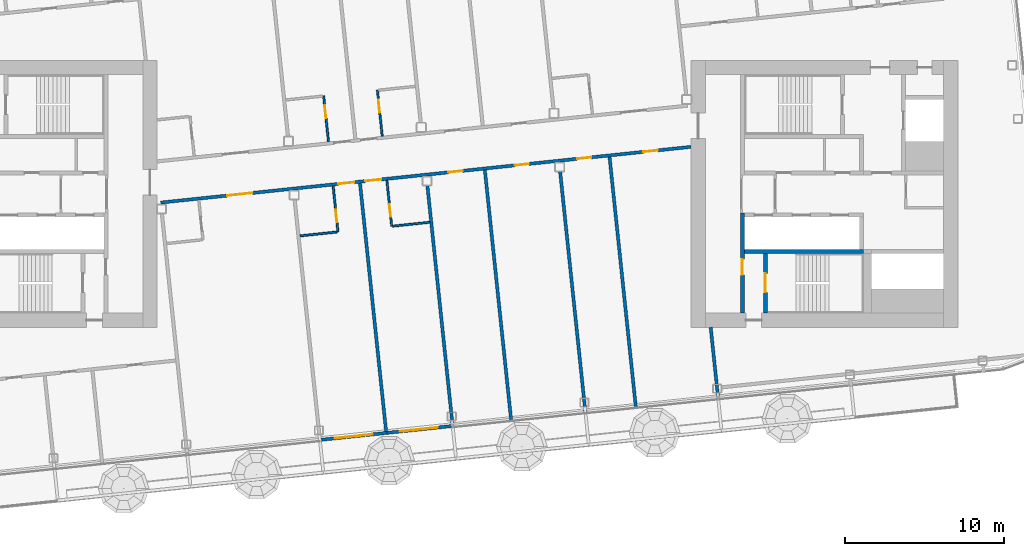
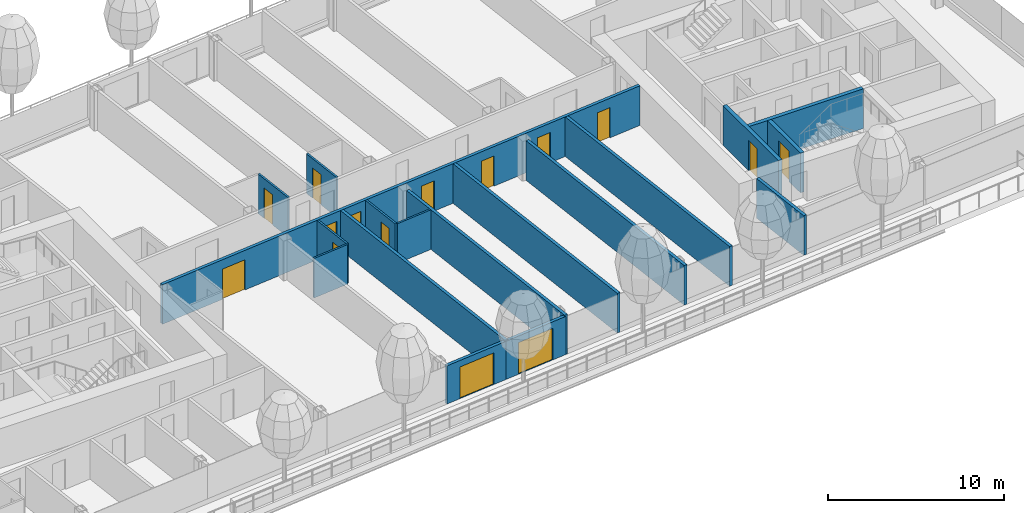
# One storey, part 14 of 30: 18 walls, 15 doors, 15 openings, 1 element without a shape of its own.
"""IFC4 building model written with IfcOpenShell, lengths in metres."""

from ifc_helpers import new_model, si_unit, direction, frame, frame_2d, origin, place, context, subcontext, project, spatial, rectangle, extrude, material, layer, layer_set, type_object, element, fill, aggregate, save


model = new_model("IFC4")

# Units and contexts
model_context = context("Model", 3, precision=1e-05, world=origin(), true_north=direction((0.0, 1.0)))
body_context = subcontext(model_context, "Body", "Model", "MODEL_VIEW")
ifc_project = project(units=[si_unit("LENGTHUNIT", "METRE"), si_unit("AREAUNIT", "SQUARE_METRE"), si_unit("VOLUMEUNIT", "CUBIC_METRE"), si_unit("PLANEANGLEUNIT", "RADIAN"), si_unit("MASSUNIT", "GRAM", prefix="KILO")], contexts=[model_context])

# Site, building, storey
site_placement = place(None, origin())
site = spatial("IfcSite", under=ifc_project, at=site_placement, CompositionType="ELEMENT")
building_placement = place(site_placement, origin())
building = spatial("IfcBuilding", under=site, at=building_placement, Name="Hakoniwa Tower and Hamabe Station Hall", CompositionType="ELEMENT")
storey_placement = place(building_placement, frame((0.0, 0.0, 245.39990234375)))
storey = spatial("IfcBuildingStorey", under=building, at=storey_placement, Name="L69", CompositionType="ELEMENT", Elevation=245.39990234375)

# Walls
ifc_material_1 = material(Name="Gypsum board partition", Category="gypsum")
ifc_layer_1 = layer(ifc_material_1, 0.125)
ifc_layer_set_1 = layer_set([ifc_layer_1], Name="Bathroom Partition 125")
wall_type_1 = type_object("IfcWallType", Name="Bathroom Partition 125", PredefinedType="PARTITIONING", material=ifc_layer_set_1)
for number, where, z_axis, x_axis, name in (
    (1, (-7.80517578125, -2.64404296875, 0.0), (0.0, 0.0, 1.0), (0.994519751088, 0.104548862722, 0.0), "GW-L69-004"),
    (2, (-1.974609375, -2.03125, 0.0), (0.0, 0.0, 1.0), (0.994519751088, 0.104548862722, 0.0), "GW-L69-005"),
):
    element("IfcWall", number, at=place(storey_placement, frame(where, z_axis=z_axis, x_axis=x_axis)), inside=storey, type_object=wall_type_1, Name=name, PredefinedType="PARTITIONING", context=body_context, shape_type="SweptSolid", body=[
        extrude(rectangle(XDim=2.33740234375, YDim=0.125, at=frame_2d((1.168701171875, 0.0))), origin(), (0.0, 0.0, 1.0), 2.75),
    ])

# Wall, opening, door
wall_1_placement = place(storey_placement, frame((-5.418212890625, -2.39306640625, 0.0), z_axis=(0.0, 0.0, 1.0), x_axis=(-0.104562076147, 0.994518361938, 0.0)))
wall_1 = element("IfcWall", 3, at=wall_1_placement, inside=storey, type_object=wall_type_1, Name="GW-L69-039", PredefinedType="PARTITIONING", context=body_context, shape_type="SweptSolid", body=[
    extrude(rectangle(XDim=2.89990234375, YDim=0.125, at=frame_2d((1.449951171875, 0.0))), origin(), (0.0, 0.0, 1.0), 2.75),
])
opening_1_placement = place(wall_1_placement, frame((0.60009765625, 0.0, 0.0)))
opening_1 = element("IfcOpeningElement", 4, at=opening_1_placement, cuts=wall_1, Name="Opening GD-G5C0-35", PredefinedType="OPENING", context=body_context, shape_type="SweptSolid", body=[
    extrude(rectangle(XDim=0.800048828125, YDim=2.10009765625, at=frame_2d((0.39990234375, 1.050048828125))), frame((0.0, 0.072509765625, 0.0), z_axis=(0.0, -1.0, 0.0), x_axis=(1.0, 0.0, 0.0)), (0.0, 0.0, 1.0), 0.14501953125),
])
ifc_material_2 = material(Name="Timber door leaf", Category="wood")
door_type_1 = type_object("IfcDoorType", Name="Bathroom Door 800", OperationType="SINGLE_SWING_LEFT", PredefinedType="DOOR", material=ifc_material_2)
door_1_placement = place(opening_1_placement, origin())
door_1 = element("IfcDoor", 5, at=door_1_placement, inside=storey, type_object=door_type_1, Name="Door GD-G5C0-35", OperationType="SINGLE_SWING_RIGHT", OverallHeight=2.10009765625, OverallWidth=0.800048828125, PredefinedType="DOOR", context=body_context, shape_type="SweptSolid", body=[
    extrude(rectangle(XDim=0.800048828125, YDim=2.10009765625, at=frame_2d((0.39990234375, 1.050048828125))), frame((0.0, 0.02490234375, 0.0), z_axis=(0.0, -1.0, 0.0), x_axis=(1.0, 0.0, 0.0)), (0.0, 0.0, 1.0), 0.050048828125),
])
fill(opening_1, door_1)

wall_2_placement = place(storey_placement, frame((-6.013916015625, 3.275634765625, 0.0), z_axis=(0.0, 0.0, 1.0), x_axis=(-0.104562076147, 0.994518361938, 0.0)))
wall_2 = element("IfcWall", 6, at=wall_2_placement, inside=storey, type_object=wall_type_1, Name="GW-L69-040", PredefinedType="PARTITIONING", context=body_context, shape_type="SweptSolid", body=[
    extrude(rectangle(XDim=2.89990234375, YDim=0.125, at=frame_2d((1.449951171875, 0.0))), origin(), (0.0, 0.0, 1.0), 2.75),
])
opening_2_placement = place(wall_2_placement, frame((1.5, 0.0, 0.0)))
opening_2 = element("IfcOpeningElement", 7, at=opening_2_placement, cuts=wall_2, Name="Opening GD-G5C0-36", PredefinedType="OPENING", context=body_context, shape_type="SweptSolid", body=[
    extrude(rectangle(XDim=0.800048828125, YDim=2.10009765625, at=frame_2d((0.39990234375, 1.050048828125))), frame((0.0, 0.072509765625, 0.0), z_axis=(0.0, -1.0, 0.0), x_axis=(1.0, 0.0, 0.0)), (0.0, 0.0, 1.0), 0.14501953125),
])
door_2_placement = place(opening_2_placement, origin())
door_2 = element("IfcDoor", 8, at=door_2_placement, inside=storey, type_object=door_type_1, Name="Door GD-G5C0-36", OperationType="SINGLE_SWING_LEFT", OverallHeight=2.10009765625, OverallWidth=0.800048828125, PredefinedType="DOOR", context=body_context, shape_type="SweptSolid", body=[
    extrude(rectangle(XDim=0.800048828125, YDim=2.10009765625, at=frame_2d((0.39990234375, 1.050048828125))), frame((0.0, 0.02490234375, 0.0), z_axis=(0.0, -1.0, 0.0), x_axis=(1.0, 0.0, 0.0)), (0.0, 0.0, 1.0), 0.050048828125),
])
fill(opening_2, door_2)

wall_3_placement = place(storey_placement, frame((-2.036865234375, -2.037841796875, 0.0), z_axis=(0.0, 0.0, 1.0), x_axis=(-0.104470059912, 0.994528032074, 0.0)))
wall_3 = element("IfcWall", 9, at=wall_3_placement, inside=storey, type_object=wall_type_1, Name="GW-L69-043", PredefinedType="PARTITIONING", context=body_context, shape_type="SweptSolid", body=[
    extrude(rectangle(XDim=2.900146484375, YDim=0.125, at=frame_2d((1.4501953125, 0.0))), origin(), (0.0, 0.0, 1.0), 2.75),
])
opening_3_placement = place(wall_3_placement, frame((0.60009765625, 0.0, 0.0)))
opening_3 = element("IfcOpeningElement", 10, at=opening_3_placement, cuts=wall_3, Name="Opening GD-G5C0-37", PredefinedType="OPENING", context=body_context, shape_type="SweptSolid", body=[
    extrude(rectangle(XDim=0.800048828125, YDim=2.10009765625, at=frame_2d((0.39990234375, 1.050048828125))), frame((0.0, 0.072509765625, 0.0), z_axis=(0.0, -1.0, 0.0), x_axis=(1.0, 0.0, 0.0)), (0.0, 0.0, 1.0), 0.14501953125),
])
door_3_placement = place(opening_3_placement, origin())
door_3 = element("IfcDoor", 11, at=door_3_placement, inside=storey, type_object=door_type_1, Name="Door GD-G5C0-37", OperationType="SINGLE_SWING_LEFT", OverallHeight=2.10009765625, OverallWidth=0.800048828125, PredefinedType="DOOR", context=body_context, shape_type="SweptSolid", body=[
    extrude(rectangle(XDim=0.800048828125, YDim=2.10009765625, at=frame_2d((0.39990234375, 1.050048828125))), frame((0.0, 0.02490234375, 0.0), z_axis=(0.0, -1.0, 0.0), x_axis=(1.0, 0.0, 0.0)), (0.0, 0.0, 1.0), 0.050048828125),
])
fill(opening_3, door_3)

wall_4_placement = place(storey_placement, frame((-2.632568359375, 3.631103515625, 0.0), z_axis=(0.0, 0.0, 1.0), x_axis=(-0.104562076147, 0.994518361938, 0.0)))
wall_4 = element("IfcWall", 12, at=wall_4_placement, inside=storey, type_object=wall_type_1, Name="GW-L69-044", PredefinedType="PARTITIONING", context=body_context, shape_type="SweptSolid", body=[
    extrude(rectangle(XDim=2.89990234375, YDim=0.125, at=frame_2d((1.449951171875, 0.0))), origin(), (0.0, 0.0, 1.0), 2.75),
])
opening_4_placement = place(wall_4_placement, frame((1.5, 0.0, 0.0)))
opening_4 = element("IfcOpeningElement", 13, at=opening_4_placement, cuts=wall_4, Name="Opening GD-G5C0-38", PredefinedType="OPENING", context=body_context, shape_type="SweptSolid", body=[
    extrude(rectangle(XDim=0.800048828125, YDim=2.10009765625, at=frame_2d((0.39990234375, 1.050048828125))), frame((0.0, 0.072509765625, 0.0), z_axis=(0.0, -1.0, 0.0), x_axis=(1.0, 0.0, 0.0)), (0.0, 0.0, 1.0), 0.14501953125),
])
door_4_placement = place(opening_4_placement, origin())
door_4 = element("IfcDoor", 14, at=door_4_placement, inside=storey, type_object=door_type_1, Name="Door GD-G5C0-38", OperationType="SINGLE_SWING_RIGHT", OverallHeight=2.10009765625, OverallWidth=0.800048828125, PredefinedType="DOOR", context=body_context, shape_type="SweptSolid", body=[
    extrude(rectangle(XDim=0.800048828125, YDim=2.10009765625, at=frame_2d((0.39990234375, 1.050048828125))), frame((0.0, 0.02490234375, 0.0), z_axis=(0.0, -1.0, 0.0), x_axis=(1.0, 0.0, 0.0)), (0.0, 0.0, 1.0), 0.050048828125),
])
fill(opening_4, door_4)

ifc_material_3 = material(Name="Concrete C60", Category="concrete")
ifc_layer_2 = layer(ifc_material_3, 0.25)
ifc_layer_set_2 = layer_set([ifc_layer_2], Name="CORE WEB WALL 250 C60")
wall_type_2 = type_object("IfcWallType", Name="CORE WEB WALL 250 C60", PredefinedType="SHEAR", material=ifc_layer_set_2)
wall_5_placement = place(storey_placement, frame((20.02490234375, -7.5, 0.0), z_axis=(0.0, 0.0, 1.0), x_axis=(0.0, 1.0, 0.0)))
wall_5 = element("IfcWall", 15, at=wall_5_placement, inside=storey, type_object=wall_type_2, Name="Core wall W1S east", PredefinedType="SHEAR", context=body_context, shape_type="SweptSolid", body=[
    extrude(rectangle(XDim=6.300048828125, YDim=0.25, at=frame_2d((3.14990234375, 0.0))), origin(), (0.0, 0.0, 1.0), 2.75),
])
opening_5_placement = place(wall_5_placement, frame((2.39990234375, 0.0, 0.0)))
opening_5 = element("IfcOpeningElement", 16, at=opening_5_placement, cuts=wall_5, Name="Opening CD-E-VS-10", PredefinedType="OPENING", context=body_context, shape_type="SweptSolid", body=[
    extrude(rectangle(XDim=1.0, YDim=2.10009765625, at=frame_2d((0.5, 1.050048828125))), frame((0.0, 0.135009765625, 0.0), z_axis=(0.0, -1.0, 0.0), x_axis=(1.0, 0.0, 0.0)), (0.0, 0.0, 1.0), 0.27001953125),
])
ifc_material_4 = material(Name="Steel fire door", Category="steel")
door_type_2 = type_object("IfcDoorType", Name="CORE DOOR 1000 FD60", OperationType="NOTDEFINED", PredefinedType="DOOR", material=ifc_material_4)
door_5_placement = place(opening_5_placement, origin())
door_5 = element("IfcDoor", 17, at=door_5_placement, inside=storey, type_object=door_type_2, Name="Stair vestibule door", OperationType="SINGLE_SWING_RIGHT", OverallHeight=2.10009765625, OverallWidth=1.0, PredefinedType="DOOR", context=body_context, shape_type="SweptSolid", body=[
    extrude(rectangle(XDim=1.0, YDim=2.10009765625, at=frame_2d((0.5, 1.050048828125))), frame((0.0, 0.02490234375, 0.0), z_axis=(0.0, -1.0, 0.0), x_axis=(1.0, 0.0, 0.0)), (0.0, 0.0, 1.0), 0.050048828125),
])
fill(opening_5, door_5)

# Wall
wall_6_placement = place(storey_placement, frame((20.14990234375, -3.625, 0.0), z_axis=(0.0, 0.0, 1.0), x_axis=(1.0, 0.0, 0.0)))
element("IfcWall", 18, at=wall_6_placement, inside=storey, type_object=wall_type_2, Name="Core wall SR east", PredefinedType="SHEAR", context=body_context, shape_type="SweptSolid", body=[
    extrude(rectangle(XDim=7.5, YDim=0.25, at=frame_2d((3.75, 0.0))), origin(), (0.0, 0.0, 1.0), 2.75),
])

# Wall, opening, door
wall_7_placement = place(storey_placement, frame((21.47509765625, -7.5, 0.0), z_axis=(0.0, 0.0, 1.0), x_axis=(0.0, 1.0, 0.0)))
wall_7 = element("IfcWall", 19, at=wall_7_placement, inside=storey, type_object=wall_type_2, Name="Core wall VE east", PredefinedType="SHEAR", context=body_context, shape_type="SweptSolid", body=[
    extrude(rectangle(XDim=3.75, YDim=0.25, at=frame_2d((1.875, 0.0))), origin(), (0.0, 0.0, 1.0), 2.75),
])
opening_6_placement = place(wall_7_placement, frame((1.300048828125, 0.0, 0.0)))
opening_6 = element("IfcOpeningElement", 20, at=opening_6_placement, cuts=wall_7, Name="Opening CD-E-SS-12", PredefinedType="OPENING", context=body_context, shape_type="SweptSolid", body=[
    extrude(rectangle(XDim=1.199951171875, YDim=2.10009765625, at=frame_2d((0.60009765625, 1.050048828125))), frame((0.0, 0.135009765625, 0.0), z_axis=(0.0, -1.0, 0.0), x_axis=(1.0, 0.0, 0.0)), (0.0, 0.0, 1.0), 0.27001953125),
])
ifc_material_5 = material(Name="Steel fire door", Category="steel")
door_type_3 = type_object("IfcDoorType", Name="CORE DOOR 1200 FD60", OperationType="DOUBLE_DOOR_SINGLE_SWING", PredefinedType="DOOR", material=ifc_material_5)
door_6_placement = place(opening_6_placement, origin())
door_6 = element("IfcDoor", 21, at=door_6_placement, inside=storey, type_object=door_type_3, Name="Escape stair door", OperationType="DOUBLE_DOOR_SINGLE_SWING", OverallHeight=2.10009765625, OverallWidth=1.199951171875, PredefinedType="DOOR", context=body_context, shape_type="SweptSolid", body=[
    extrude(rectangle(XDim=1.199951171875, YDim=2.10009765625, at=frame_2d((0.60009765625, 1.050048828125))), frame((0.0, 0.02490234375, 0.0), z_axis=(0.0, -1.0, 0.0), x_axis=(1.0, 0.0, 0.0)), (0.0, 0.0, 1.0), 0.050048828125),
])
fill(opening_6, door_6)

# Wall, openings, doors
ifc_material_6 = material(Name="Fire-rated gypsum board partition", Category="gypsum")
ifc_layer_3 = layer(ifc_material_6, 0.199951171875)
ifc_layer_set_3 = layer_set([ifc_layer_3], Name="Corridor Wall 200")
wall_type_3 = type_object("IfcWallType", Name="Corridor Wall 200", PredefinedType="PARTITIONING", material=ifc_layer_set_3)
wall_8_placement = place(storey_placement, frame((-16.572021484375, -0.549072265625, 0.0), z_axis=(0.0, 0.0, 1.0), x_axis=(0.994521146831, 0.104535584879, 0.0)))
wall_8 = element("IfcWall", 22, at=wall_8_placement, inside=storey, type_object=wall_type_3, Name="GW-L69-007", PredefinedType="PARTITIONING", context=body_context, shape_type="SweptSolid", body=[
    extrude(rectangle(XDim=33.560791015625, YDim=0.199951171875, at=frame_2d((16.7802734375, 0.0))), origin(), (0.0, 0.0, 1.0), 2.75),
])
opening_7_placement = place(wall_8_placement, frame((4.199951171875, 0.0, 0.0)))
opening_7 = element("IfcOpeningElement", 23, at=opening_7_placement, cuts=wall_8, Name="Opening GD-G5C0-06", PredefinedType="OPENING", context=body_context, shape_type="SweptSolid", body=[
    extrude(rectangle(XDim=1.60009765625, YDim=2.10009765625, at=frame_2d((0.800048828125, 1.050048828125))), frame((0.0, 0.10986328125, 0.0), z_axis=(0.0, -1.0, 0.0), x_axis=(1.0, 0.0, 0.0)), (0.0, 0.0, 1.0), 0.219970703125),
])
opening_8_placement = place(wall_8_placement, frame((11.25, 0.0, 0.0)))
opening_8 = element("IfcOpeningElement", 24, at=opening_8_placement, cuts=wall_8, Name="Opening GD-G5C0-07", PredefinedType="OPENING", context=body_context, shape_type="SweptSolid", body=[
    extrude(rectangle(XDim=1.0, YDim=2.10009765625, at=frame_2d((0.5, 1.050048828125))), frame((0.0, 0.10986328125, 0.0), z_axis=(0.0, -1.0, 0.0), x_axis=(1.0, 0.0, 0.0)), (0.0, 0.0, 1.0), 0.219970703125),
])
opening_9_placement = place(wall_8_placement, frame((12.949951171875, 0.0, 0.0)))
opening_9 = element("IfcOpeningElement", 25, at=opening_9_placement, cuts=wall_8, Name="Opening GD-G5C0-08", PredefinedType="OPENING", context=body_context, shape_type="SweptSolid", body=[
    extrude(rectangle(XDim=1.0, YDim=2.10009765625, at=frame_2d((0.5, 1.050048828125))), frame((0.0, 0.10986328125, 0.0), z_axis=(0.0, -1.0, 0.0), x_axis=(1.0, 0.0, 0.0)), (0.0, 0.0, 1.0), 0.219970703125),
])
opening_10_placement = place(wall_8_placement, frame((18.199951171875, 0.0, 0.0)))
opening_10 = element("IfcOpeningElement", 26, at=opening_10_placement, cuts=wall_8, Name="Opening GD-G5C0-09", PredefinedType="OPENING", context=body_context, shape_type="SweptSolid", body=[
    extrude(rectangle(XDim=0.89990234375, YDim=2.10009765625, at=frame_2d((0.449951171875, 1.050048828125))), frame((0.0, 0.10986328125, 0.0), z_axis=(0.0, -1.0, 0.0), x_axis=(1.0, 0.0, 0.0)), (0.0, 0.0, 1.0), 0.219970703125),
])
opening_11_placement = place(wall_8_placement, frame((22.39990234375, 0.0, 0.0)))
opening_11 = element("IfcOpeningElement", 27, at=opening_11_placement, cuts=wall_8, Name="Opening GD-G5C0-10", PredefinedType="OPENING", context=body_context, shape_type="SweptSolid", body=[
    extrude(rectangle(XDim=0.89990234375, YDim=2.10009765625, at=frame_2d((0.449951171875, 1.050048828125))), frame((0.0, 0.10986328125, 0.0), z_axis=(0.0, -1.0, 0.0), x_axis=(1.0, 0.0, 0.0)), (0.0, 0.0, 1.0), 0.219970703125),
])
opening_12_placement = place(wall_8_placement, frame((26.344970703125, 0.0, 0.0)))
opening_12 = element("IfcOpeningElement", 28, at=opening_12_placement, cuts=wall_8, Name="Opening GD-G5C0-11", PredefinedType="OPENING", context=body_context, shape_type="SweptSolid", body=[
    extrude(rectangle(XDim=0.89990234375, YDim=2.10009765625, at=frame_2d((0.449951171875, 1.050048828125))), frame((0.0, 0.10986328125, 0.0), z_axis=(0.0, -1.0, 0.0), x_axis=(1.0, 0.0, 0.0)), (0.0, 0.0, 1.0), 0.219970703125),
])
opening_13_placement = place(wall_8_placement, frame((30.544921875, 0.0, 0.0)))
opening_13 = element("IfcOpeningElement", 29, at=opening_13_placement, cuts=wall_8, Name="Opening GD-G5C0-12", PredefinedType="OPENING", context=body_context, shape_type="SweptSolid", body=[
    extrude(rectangle(XDim=0.89990234375, YDim=2.10009765625, at=frame_2d((0.449951171875, 1.050048828125))), frame((0.0, 0.10986328125, 0.0), z_axis=(0.0, -1.0, 0.0), x_axis=(1.0, 0.0, 0.0)), (0.0, 0.0, 1.0), 0.219970703125),
])
ifc_material_7 = material(Name="Timber door leaf", Category="wood")
door_type_4 = type_object("IfcDoorType", Name="Double Door 1600", OperationType="DOUBLE_DOOR_SINGLE_SWING", PredefinedType="DOOR", material=ifc_material_7)
door_7_placement = place(opening_7_placement, origin())
door_7 = element("IfcDoor", 30, at=door_7_placement, inside=storey, type_object=door_type_4, Name="Door GD-G5C0-06", OperationType="DOUBLE_DOOR_SINGLE_SWING", OverallHeight=2.10009765625, OverallWidth=1.60009765625, PredefinedType="DOOR", context=body_context, shape_type="SweptSolid", body=[
    extrude(rectangle(XDim=1.60009765625, YDim=2.10009765625, at=frame_2d((0.800048828125, 1.050048828125))), frame((0.0, 0.02490234375, 0.0), z_axis=(0.0, -1.0, 0.0), x_axis=(1.0, 0.0, 0.0)), (0.0, 0.0, 1.0), 0.050048828125),
])
fill(opening_7, door_7)
ifc_material_8 = material(Name="Timber door leaf", Category="wood")
door_type_5 = type_object("IfcDoorType", Name="Guest Entrance Door 1000", OperationType="SINGLE_SWING_LEFT", PredefinedType="DOOR", material=ifc_material_8)
door_8_placement = place(opening_8_placement, origin())
door_8 = element("IfcDoor", 31, at=door_8_placement, inside=storey, type_object=door_type_5, Name="Door GD-G5C0-07", OperationType="SINGLE_SWING_RIGHT", OverallHeight=2.10009765625, OverallWidth=1.0, PredefinedType="DOOR", context=body_context, shape_type="SweptSolid", body=[
    extrude(rectangle(XDim=1.0, YDim=2.10009765625, at=frame_2d((0.5, 1.050048828125))), frame((0.0, 0.02490234375, 0.0), z_axis=(0.0, -1.0, 0.0), x_axis=(1.0, 0.0, 0.0)), (0.0, 0.0, 1.0), 0.050048828125),
])
fill(opening_8, door_8)
door_9_placement = place(opening_9_placement, origin())
door_9 = element("IfcDoor", 32, at=door_9_placement, inside=storey, type_object=door_type_5, Name="Door GD-G5C0-08", OperationType="SINGLE_SWING_LEFT", OverallHeight=2.10009765625, OverallWidth=1.0, PredefinedType="DOOR", context=body_context, shape_type="SweptSolid", body=[
    extrude(rectangle(XDim=1.0, YDim=2.10009765625, at=frame_2d((0.5, 1.050048828125))), frame((0.0, 0.02490234375, 0.0), z_axis=(0.0, -1.0, 0.0), x_axis=(1.0, 0.0, 0.0)), (0.0, 0.0, 1.0), 0.050048828125),
])
fill(opening_9, door_9)
ifc_material_9 = material(Name="Timber door leaf", Category="wood")
door_type_6 = type_object("IfcDoorType", Name="Service Door 900", OperationType="SINGLE_SWING_LEFT", PredefinedType="DOOR", material=ifc_material_9)
door_10_placement = place(opening_10_placement, origin())
door_10 = element("IfcDoor", 33, at=door_10_placement, inside=storey, type_object=door_type_6, Name="Door GD-G5C0-09", OperationType="SINGLE_SWING_RIGHT", OverallHeight=2.10009765625, OverallWidth=0.89990234375, PredefinedType="DOOR", context=body_context, shape_type="SweptSolid", body=[
    extrude(rectangle(XDim=0.89990234375, YDim=2.10009765625, at=frame_2d((0.449951171875, 1.050048828125))), frame((0.0, 0.02490234375, 0.0), z_axis=(0.0, -1.0, 0.0), x_axis=(1.0, 0.0, 0.0)), (0.0, 0.0, 1.0), 0.050048828125),
])
fill(opening_10, door_10)
door_11_placement = place(opening_11_placement, origin())
door_11 = element("IfcDoor", 34, at=door_11_placement, inside=storey, type_object=door_type_6, Name="Door GD-G5C0-10", OperationType="SINGLE_SWING_RIGHT", OverallHeight=2.10009765625, OverallWidth=0.89990234375, PredefinedType="DOOR", context=body_context, shape_type="SweptSolid", body=[
    extrude(rectangle(XDim=0.89990234375, YDim=2.10009765625, at=frame_2d((0.449951171875, 1.050048828125))), frame((0.0, 0.02490234375, 0.0), z_axis=(0.0, -1.0, 0.0), x_axis=(1.0, 0.0, 0.0)), (0.0, 0.0, 1.0), 0.050048828125),
])
fill(opening_11, door_11)
door_12_placement = place(opening_12_placement, origin())
door_12 = element("IfcDoor", 35, at=door_12_placement, inside=storey, type_object=door_type_6, Name="Door GD-G5C0-11", OperationType="SINGLE_SWING_RIGHT", OverallHeight=2.10009765625, OverallWidth=0.89990234375, PredefinedType="DOOR", context=body_context, shape_type="SweptSolid", body=[
    extrude(rectangle(XDim=0.89990234375, YDim=2.10009765625, at=frame_2d((0.449951171875, 1.050048828125))), frame((0.0, 0.02490234375, 0.0), z_axis=(0.0, -1.0, 0.0), x_axis=(1.0, 0.0, 0.0)), (0.0, 0.0, 1.0), 0.050048828125),
])
fill(opening_12, door_12)
door_13_placement = place(opening_13_placement, origin())
door_13 = element("IfcDoor", 36, at=door_13_placement, inside=storey, type_object=door_type_6, Name="Door GD-G5C0-12", OperationType="SINGLE_SWING_RIGHT", OverallHeight=2.10009765625, OverallWidth=0.89990234375, PredefinedType="DOOR", context=body_context, shape_type="SweptSolid", body=[
    extrude(rectangle(XDim=0.89990234375, YDim=2.10009765625, at=frame_2d((0.449951171875, 1.050048828125))), frame((0.0, 0.02490234375, 0.0), z_axis=(0.0, -1.0, 0.0), x_axis=(1.0, 0.0, 0.0)), (0.0, 0.0, 1.0), 0.050048828125),
])
fill(opening_13, door_13)

# Curtain wall, walls, openings, doors
ifc_material_10 = material(Name="Dark low-e laminated glass", Category="glass")
ifc_layer_4 = layer(ifc_material_10, 0.199951171875)
ifc_layer_set_4 = layer_set([ifc_layer_4], Name="CW-1 UNITISED GUEST")
curtain_wall_type = type_object("IfcCurtainWallType", Name="CW-1 UNITISED GUEST", PredefinedType="NOTDEFINED", material=ifc_layer_set_4)
curtain_wall_placement = place(storey_placement, origin())
curtain_wall = element("IfcCurtainWall", 37, at=curtain_wall_placement, inside=storey, type_object=curtain_wall_type, Name="CW-1 curtain wall", PredefinedType="NOTDEFINED")
ifc_material_11 = material(Name="Dark glass-faced aluminium panel", Category="aluminium")
ifc_layer_5 = layer(ifc_material_11, 0.199951171875)
ifc_layer_set_5 = layer_set([ifc_layer_5], Name="DOOR BAY WALL")
wall_type_4 = type_object("IfcWallType", Name="DOOR BAY WALL", PredefinedType="NOTDEFINED", material=ifc_layer_set_5)
wall_9_placement = place(storey_placement, frame((-6.5361328125, -15.481689453125, 0.0), z_axis=(0.0, 0.0, 1.0), x_axis=(0.994520342386, 0.104543237853, 0.0)))
wall_9 = element("IfcWall", 38, at=wall_9_placement, type_object=wall_type_4, Name="Door bay wall", PredefinedType="NOTDEFINED", context=body_context, shape_type="SweptSolid", body=[
    extrude(rectangle(XDim=4.219970703125, YDim=0.199951171875, at=frame_2d((2.10986328125, 0.0))), origin(), (0.0, 0.0, 1.0), 2.650146484375),
])
opening_14_placement = place(wall_9_placement, frame((0.909912109375, 0.0, 0.0)))
opening_14 = element("IfcOpeningElement", 39, at=opening_14_placement, cuts=wall_9, Name="Opening BD-S07-3", PredefinedType="OPENING", context=body_context, shape_type="SweptSolid", body=[
    extrude(rectangle(XDim=2.39990234375, YDim=2.199951171875, at=frame_2d((1.199951171875, 1.10009765625))), frame((0.0, 0.10986328125, 0.0), z_axis=(0.0, -1.0, 0.0), x_axis=(1.0, 0.0, 0.0)), (0.0, 0.0, 1.0), 0.219970703125),
])
ifc_material_12 = material(Name="Dark low-e laminated glass", Category="glass")
door_type_7 = type_object("IfcDoorType", Name="BALCONY SLIDING DOOR 2400X2200", OperationType="SLIDING_TO_LEFT", PredefinedType="DOOR", material=ifc_material_12)
door_14_placement = place(opening_14_placement, frame((2.39990234375, 0.0, 0.0), z_axis=(0.0, 0.0, 1.0), x_axis=(-1.0, 0.0, 0.0)))
door_14 = element("IfcDoor", 40, at=door_14_placement, inside=storey, type_object=door_type_7, Name="Balcony sliding door", OperationType="SLIDING_TO_LEFT", OverallHeight=2.199951171875, OverallWidth=2.39990234375, PredefinedType="DOOR", context=body_context, shape_type="SweptSolid", body=[
    extrude(rectangle(XDim=2.39990234375, YDim=2.199951171875, at=frame_2d((1.199951171875, 1.10009765625))), frame((0.0, 0.02490234375, 0.0), z_axis=(0.0, -1.0, 0.0), x_axis=(1.0, 0.0, 0.0)), (0.0, 0.0, 1.0), 0.050048828125),
])
fill(opening_14, door_14)
wall_10_placement = place(storey_placement, frame((-2.4189453125, -15.049072265625, 0.0), z_axis=(0.0, 0.0, 1.0), x_axis=(0.994520974641, 0.104537223034, 0.0)))
wall_10 = element("IfcWall", 41, at=wall_10_placement, type_object=wall_type_4, Name="Door bay wall", PredefinedType="NOTDEFINED", context=body_context, shape_type="SweptSolid", body=[
    extrude(rectangle(XDim=4.22021484375, YDim=0.199951171875, at=frame_2d((2.110107421875, 0.0))), origin(), (0.0, 0.0, 1.0), 2.650146484375),
])
opening_15_placement = place(wall_10_placement, frame((0.909912109375, 0.0, 0.0)))
opening_15 = element("IfcOpeningElement", 42, at=opening_15_placement, cuts=wall_10, Name="Opening BD-S07-4", PredefinedType="OPENING", context=body_context, shape_type="SweptSolid", body=[
    extrude(rectangle(XDim=2.39990234375, YDim=2.199951171875, at=frame_2d((1.199951171875, 1.10009765625))), frame((0.0, 0.10986328125, 0.0), z_axis=(0.0, -1.0, 0.0), x_axis=(1.0, 0.0, 0.0)), (0.0, 0.0, 1.0), 0.219970703125),
])
door_15_placement = place(opening_15_placement, frame((2.39990234375, 0.0, 0.0), z_axis=(0.0, 0.0, 1.0), x_axis=(-1.0, 0.0, 0.0)))
door_15 = element("IfcDoor", 43, at=door_15_placement, inside=storey, type_object=door_type_7, Name="Balcony sliding door", OperationType="SLIDING_TO_LEFT", OverallHeight=2.199951171875, OverallWidth=2.39990234375, PredefinedType="DOOR", context=body_context, shape_type="SweptSolid", body=[
    extrude(rectangle(XDim=2.39990234375, YDim=2.199951171875, at=frame_2d((1.199951171875, 1.10009765625))), frame((0.0, 0.02490234375, 0.0), z_axis=(0.0, -1.0, 0.0), x_axis=(1.0, 0.0, 0.0)), (0.0, 0.0, 1.0), 0.050048828125),
])
fill(opening_15, door_15)
aggregate(curtain_wall, [wall_9, wall_10])

# Walls
ifc_material_13 = material(Name="Fire-rated gypsum board partition", Category="gypsum")
ifc_layer_6 = layer(ifc_material_13, 0.199951171875)
ifc_layer_set_6 = layer_set([ifc_layer_6], Name="Party Wall 200")
wall_type_5 = type_object("IfcWallType", Name="Party Wall 200", PredefinedType="PARTITIONING", material=ifc_layer_set_6)
wall_11_placement = place(storey_placement, frame((-2.36865234375, -15.144287109375, 0.0), z_axis=(0.0, 0.0, 1.0), x_axis=(-0.104534518003, 0.994521258971, 0.0)))
element("IfcWall", 44, at=wall_11_placement, inside=storey, type_object=wall_type_5, Name="GW-L69-041", PredefinedType="PARTITIONING", context=body_context, shape_type="SweptSolid", body=[
    extrude(rectangle(XDim=15.900146484375, YDim=0.199951171875, at=frame_2d((7.9501953125, 0.0))), origin(), (0.0, 0.0, 1.0), 2.75),
])
wall_12_placement = place(storey_placement, frame((1.808349609375, -14.705322265625, 0.0), z_axis=(0.0, 0.0, 1.0), x_axis=(-0.104523729364, 0.99452239291, 0.0)))
element("IfcWall", 45, at=wall_12_placement, inside=storey, type_object=wall_type_5, Name="GW-L69-045", PredefinedType="PARTITIONING", context=body_context, shape_type="SweptSolid", body=[
    extrude(rectangle(XDim=15.308349609375, YDim=0.199951171875, at=frame_2d((7.654296875, 0.0))), origin(), (0.0, 0.0, 1.0), 2.75),
])
wall_13_placement = place(storey_placement, frame((5.488037109375, -14.318359375, 0.0), z_axis=(0.0, 0.0, 1.0), x_axis=(-0.104520927191, 0.994522687413, 0.0)))
element("IfcWall", 46, at=wall_13_placement, inside=storey, type_object=wall_type_5, Name="GW-L69-047", PredefinedType="PARTITIONING", context=body_context, shape_type="SweptSolid", body=[
    extrude(rectangle(XDim=15.89990234375, YDim=0.199951171875, at=frame_2d((7.949951171875, 0.0))), origin(), (0.0, 0.0, 1.0), 2.75),
])
wall_14_placement = place(storey_placement, frame((10.162353515625, -13.8271484375, 0.0), z_axis=(0.0, 0.0, 1.0), x_axis=(-0.104523729364, 0.99452239291, 0.0)))
element("IfcWall", 47, at=wall_14_placement, inside=storey, type_object=wall_type_5, Name="GW-L69-049", PredefinedType="PARTITIONING", context=body_context, shape_type="SweptSolid", body=[
    extrude(rectangle(XDim=15.308349609375, YDim=0.199951171875, at=frame_2d((7.654296875, 0.0))), origin(), (0.0, 0.0, 1.0), 2.75),
])
wall_15_placement = place(storey_placement, frame((13.3349609375, -13.49365234375, 0.0), z_axis=(0.0, 0.0, 1.0), x_axis=(-0.104536114326, 0.99452109118, 0.0)))
element("IfcWall", 48, at=wall_15_placement, inside=storey, type_object=wall_type_5, Name="GW-L69-052", PredefinedType="PARTITIONING", context=body_context, shape_type="SweptSolid", body=[
    extrude(rectangle(XDim=15.89990234375, YDim=0.199951171875, at=frame_2d((7.949951171875, 0.0))), origin(), (0.0, 0.0, 1.0), 2.75),
])
wall_16_placement = place(storey_placement, frame((18.516357421875, -12.94921875, 0.0), z_axis=(0.0, 0.0, 1.0), x_axis=(-0.104548796268, 0.994519758074, 0.0)))
element("IfcWall", 49, at=wall_16_placement, inside=storey, type_object=wall_type_5, Name="GW-L69-053", PredefinedType="PARTITIONING", context=body_context, shape_type="SweptSolid", body=[
    extrude(rectangle(XDim=4.579345703125, YDim=0.199951171875, at=frame_2d((2.28955078125, 0.0))), origin(), (0.0, 0.0, 1.0), 2.75),
])

save(model, "model.ifc")
